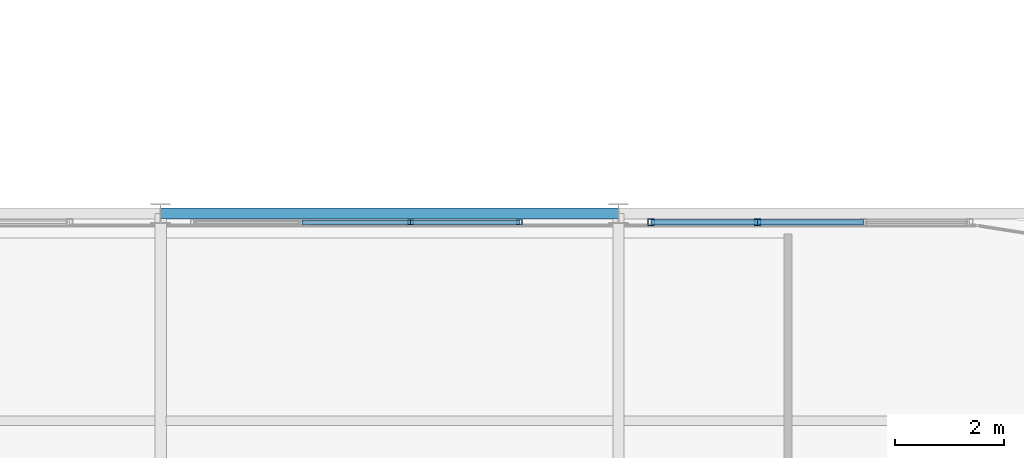
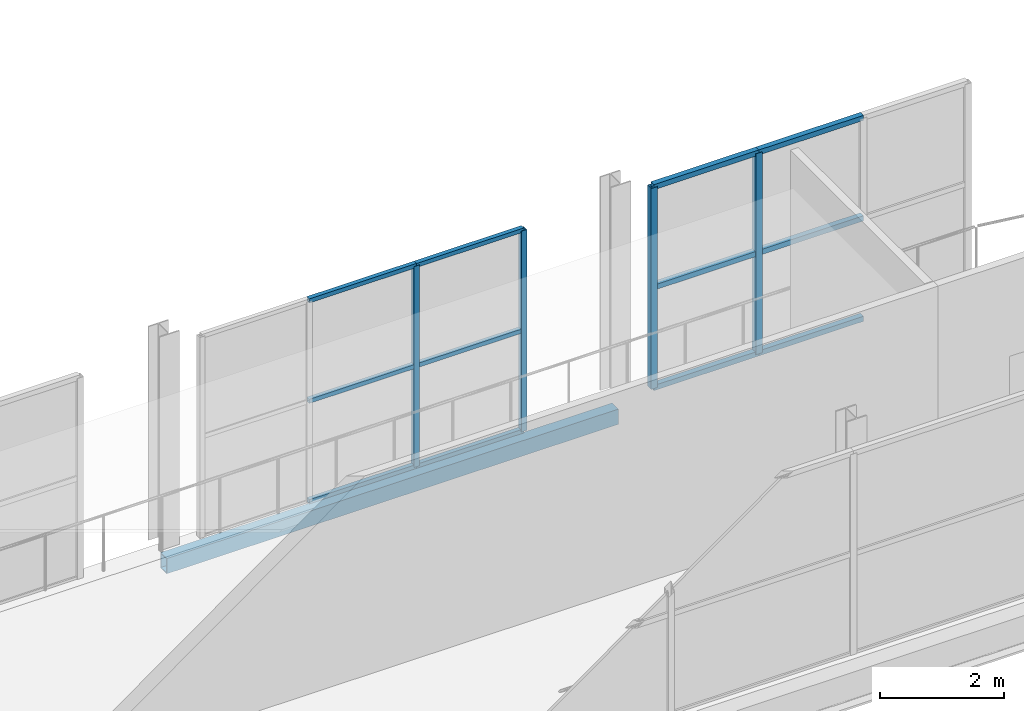
# One storey, part 159 of 217: 16 members, 1 beam, 2 elements without a shape of their own.
"""IFC4 building model written with IfcOpenShell, lengths in metres."""

from ifc_helpers import new_model, si_unit, direction, frame, origin, origin_2d, place, context, subcontext, project, spatial, hollow_rectangle, extrude, material, material_profile, profile_set, type_object, element, aggregate, save


model = new_model("IFC4")

# Units and contexts
model_context = context("Model", 3, precision=1e-05, world=origin(), true_north=direction((0.0, 1.0)))
body_context = subcontext(model_context, "Body", "Model", "MODEL_VIEW")
ifc_project = project(units=[si_unit("LENGTHUNIT", "METRE"), si_unit("AREAUNIT", "SQUARE_METRE"), si_unit("VOLUMEUNIT", "CUBIC_METRE"), si_unit("PLANEANGLEUNIT", "RADIAN"), si_unit("MASSUNIT", "GRAM", prefix="KILO")], contexts=[model_context])

# Site, building, storey
site_placement = place(None, origin())
site = spatial("IfcSite", under=ifc_project, at=site_placement, CompositionType="ELEMENT")
building_placement = place(site_placement, origin())
building = spatial("IfcBuilding", under=site, at=building_placement, Name="Zuvorla Pavilion Media Centre", CompositionType="ELEMENT")
storey_placement = place(building_placement, frame((0.0, 0.0, 9.60009765625)))
storey = spatial("IfcBuildingStorey", under=building, at=storey_placement, Name="L02", CompositionType="ELEMENT", Elevation=9.60009765625)

# Beam
ifc_material_1 = material(Name="Steel S355", Category="steel")
ifc_material_profile_1 = material_profile(ifc_material_1, hollow_rectangle(XDim=0.199951171875, YDim=0.300048828125, WallThickness=0.012451171875, at=origin_2d()), Name="RHS 300x200x12.5")
ifc_profile_set_1 = profile_set([ifc_material_profile_1], Name="Steel S355")
beam_type = type_object("IfcBeamType", Name="BM-SP-RHS300", PredefinedType="SPANDREL", material=ifc_profile_set_1)
beam_placement = place(storey_placement, frame((142.39990234375, 89.60009765625, -0.418212890625), z_axis=(1.0, 0.0, 0.0), x_axis=(0.0, 1.0, 0.0)))
element("IfcBeam", 1, at=beam_placement, inside=storey, type_object=beam_type, Name="L02 spandrel SP01 889", PredefinedType="SPANDREL", context=body_context, shape_type="SweptSolid", body=[
    extrude(hollow_rectangle(XDim=0.199951171875, YDim=0.300048828125, WallThickness=0.012451171875, at=origin_2d()), origin(), (0.0, 0.0, 1.0), 8.400146484375),
])

# Curtain wall, members
ifc_material_2 = material(Name="Unitised anodised aluminium and solar glass curtain wall", Category="aluminium")
curtain_wall_type_1 = type_object("IfcCurtainWallType", Name="CW-SYS-08", PredefinedType="USERDEFINED", material=ifc_material_2)
curtain_wall_1_placement = place(storey_placement, origin())
curtain_wall_1 = element("IfcCurtainWall", 2, at=curtain_wall_1_placement, inside=storey, type_object=curtain_wall_type_1, Name="L02 curtain wall CW08 13", ObjectType="CURTAIN WALL", PredefinedType="USERDEFINED")
ifc_material_3 = material(Name="Anodised aluminium 6063-T6", Category="aluminium")
ifc_material_profile_2 = material_profile(ifc_material_3, hollow_rectangle(XDim=0.10009765625, YDim=0.10009765625, WallThickness=0.00439453125, at=origin_2d()), Name="ALU MULL 100x100")
ifc_profile_set_2 = profile_set([ifc_material_profile_2], Name="Anodised aluminium 6063-T6")
member_type_1 = type_object("IfcMemberType", Name="CW-MULL-100", PredefinedType="MULLION", material=ifc_profile_set_2)
member_1_placement = place(storey_placement, frame((148.98291015625, 89.43994140625, 0.0), z_axis=(0.0, 0.0, 1.0), x_axis=(1.0, 0.0, 0.0)))
member_1 = element("IfcMember", 3, at=member_1_placement, type_object=member_type_1, Name="CW08 mullion 1", PredefinedType="MULLION", context=body_context, shape_type="SweptSolid", body=[
    extrude(hollow_rectangle(XDim=0.10009765625, YDim=0.10009765625, WallThickness=0.00439453125, at=origin_2d()), origin(), (0.0, 0.0, 1.0), 3.949951171875),
])
member_2_placement = place(storey_placement, frame((146.98876953125, 89.43994140625, 0.0), z_axis=(0.0, 0.0, 1.0), x_axis=(1.0, 0.0, 0.0)))
member_2 = element("IfcMember", 4, at=member_2_placement, type_object=member_type_1, Name="CW08 mullion 2", PredefinedType="MULLION", context=body_context, shape_type="SweptSolid", body=[
    extrude(hollow_rectangle(XDim=0.10009765625, YDim=0.10009765625, WallThickness=0.00439453125, at=origin_2d()), origin(), (0.0, 0.0, 1.0), 3.949951171875),
])

curtain_wall_type_2 = type_object("IfcCurtainWallType", Name="CW-SYS-07", PredefinedType="USERDEFINED", material=ifc_material_2)
curtain_wall_2_placement = place(storey_placement, origin())
curtain_wall_2 = element("IfcCurtainWall", 5, at=curtain_wall_2_placement, inside=storey, type_object=curtain_wall_type_2, Name="L02 curtain wall CW07 12", ObjectType="CURTAIN WALL", PredefinedType="USERDEFINED")
ifc_material_profile_3 = material_profile(ifc_material_3, hollow_rectangle(XDim=0.1201171875, YDim=0.1201171875, WallThickness=0.0048828125, at=origin_2d()), Name="ALU MULL 120x120")
ifc_profile_set_3 = profile_set([ifc_material_profile_3], Name="Anodised aluminium 6063-T6")
member_type_2 = type_object("IfcMemberType", Name="CW-MULL-120", PredefinedType="MULLION", material=ifc_profile_set_3)
member_3_placement = place(storey_placement, frame((153.3466796875, 89.43994140625, 0.0), z_axis=(0.0, 0.0, 1.0), x_axis=(1.0, 0.0, 0.0)))
member_3 = element("IfcMember", 6, at=member_3_placement, type_object=member_type_2, Name="CW07 mullion 3", PredefinedType="MULLION", context=body_context, shape_type="SweptSolid", body=[
    extrude(hollow_rectangle(XDim=0.1201171875, YDim=0.1201171875, WallThickness=0.0048828125, at=origin_2d()), origin(), (0.0, 0.0, 1.0), 3.949951171875),
])
member_4_placement = place(storey_placement, frame((151.400146484375, 89.43994140625, 0.0), z_axis=(0.0, 0.0, 1.0), x_axis=(1.0, 0.0, 0.0)))
member_4 = element("IfcMember", 7, at=member_4_placement, type_object=member_type_2, Name="CW07 mullion 4", PredefinedType="MULLION", context=body_context, shape_type="SweptSolid", body=[
    extrude(hollow_rectangle(XDim=0.1201171875, YDim=0.1201171875, WallThickness=0.0048828125, at=origin_2d()), origin(), (0.0, 0.0, 1.0), 3.949951171875),
])
ifc_material_profile_4 = material_profile(ifc_material_3, hollow_rectangle(XDim=0.10009765625, YDim=0.10009765625, WallThickness=0.00439453125, at=origin_2d()), Name="ALU TRAN 100x100")
ifc_profile_set_4 = profile_set([ifc_material_profile_4], Name="Anodised aluminium 6063-T6")
member_type_3 = type_object("IfcMemberType", Name="CW-TRAN-100", PredefinedType="USERDEFINED", material=ifc_profile_set_4)
member_5_placement = place(storey_placement, frame((155.29345703125, 89.43994140625, 0.0), z_axis=(-1.0, 0.0, 0.0), x_axis=(0.0, -1.0, 0.0)))
member_5 = element("IfcMember", 8, at=member_5_placement, type_object=member_type_3, Name="CW07 transom 2.1", ObjectType="TRANSOM", PredefinedType="USERDEFINED", context=body_context, shape_type="SweptSolid", body=[
    extrude(hollow_rectangle(XDim=0.10009765625, YDim=0.10009765625, WallThickness=0.00439453125, at=origin_2d()), origin(), (0.0, 0.0, 1.0), 1.94677734375),
])
member_6_placement = place(storey_placement, frame((155.29345703125, 89.43994140625, 1.974853515625), z_axis=(-1.0, 0.0, 0.0), x_axis=(0.0, -1.0, 0.0)))
member_6 = element("IfcMember", 9, at=member_6_placement, type_object=member_type_3, Name="CW07 transom 2.2", ObjectType="TRANSOM", PredefinedType="USERDEFINED", context=body_context, shape_type="SweptSolid", body=[
    extrude(hollow_rectangle(XDim=0.10009765625, YDim=0.10009765625, WallThickness=0.00439453125, at=origin_2d()), origin(), (0.0, 0.0, 1.0), 1.94677734375),
])
member_7_placement = place(storey_placement, frame((155.29345703125, 89.43994140625, 3.949951171875), z_axis=(-1.0, 0.0, 0.0), x_axis=(0.0, -1.0, 0.0)))
member_7 = element("IfcMember", 10, at=member_7_placement, type_object=member_type_3, Name="CW07 transom 2.3", ObjectType="TRANSOM", PredefinedType="USERDEFINED", context=body_context, shape_type="SweptSolid", body=[
    extrude(hollow_rectangle(XDim=0.10009765625, YDim=0.10009765625, WallThickness=0.00439453125, at=origin_2d()), origin(), (0.0, 0.0, 1.0), 1.94677734375),
])
member_8_placement = place(storey_placement, frame((153.3466796875, 89.43994140625, 0.0), z_axis=(-1.0, 0.0, 0.0), x_axis=(0.0, -1.0, 0.0)))
member_8 = element("IfcMember", 11, at=member_8_placement, type_object=member_type_3, Name="CW07 transom 3.1", ObjectType="TRANSOM", PredefinedType="USERDEFINED", context=body_context, shape_type="SweptSolid", body=[
    extrude(hollow_rectangle(XDim=0.10009765625, YDim=0.10009765625, WallThickness=0.00439453125, at=origin_2d()), origin(), (0.0, 0.0, 1.0), 1.946533203125),
])
member_9_placement = place(storey_placement, frame((153.3466796875, 89.43994140625, 1.974853515625), z_axis=(-1.0, 0.0, 0.0), x_axis=(0.0, -1.0, 0.0)))
member_9 = element("IfcMember", 12, at=member_9_placement, type_object=member_type_3, Name="CW07 transom 3.2", ObjectType="TRANSOM", PredefinedType="USERDEFINED", context=body_context, shape_type="SweptSolid", body=[
    extrude(hollow_rectangle(XDim=0.10009765625, YDim=0.10009765625, WallThickness=0.00439453125, at=origin_2d()), origin(), (0.0, 0.0, 1.0), 1.946533203125),
])
member_10_placement = place(storey_placement, frame((153.3466796875, 89.43994140625, 3.949951171875), z_axis=(-1.0, 0.0, 0.0), x_axis=(0.0, -1.0, 0.0)))
member_10 = element("IfcMember", 13, at=member_10_placement, type_object=member_type_3, Name="CW07 transom 3.3", ObjectType="TRANSOM", PredefinedType="USERDEFINED", context=body_context, shape_type="SweptSolid", body=[
    extrude(hollow_rectangle(XDim=0.10009765625, YDim=0.10009765625, WallThickness=0.00439453125, at=origin_2d()), origin(), (0.0, 0.0, 1.0), 1.946533203125),
])
aggregate(curtain_wall_2, [member_3, member_4, member_5, member_6, member_7, member_8, member_9, member_10])

# Member
ifc_material_profile_5 = material_profile(ifc_material_3, hollow_rectangle(XDim=0.080078125, YDim=0.080078125, WallThickness=0.00390625, at=origin_2d()), Name="ALU TRAN 80x80")
ifc_profile_set_5 = profile_set([ifc_material_profile_5], Name="Anodised aluminium 6063-T6")
member_type_4 = type_object("IfcMemberType", Name="CW-TRAN-80", PredefinedType="USERDEFINED", material=ifc_profile_set_5)
member_11_placement = place(storey_placement, frame((148.98291015625, 89.43994140625, 0.0), z_axis=(-1.0, 0.0, 0.0), x_axis=(0.0, -1.0, 0.0)))
member_11 = element("IfcMember", 14, at=member_11_placement, type_object=member_type_4, Name="CW08 transom 1.1", ObjectType="TRANSOM", PredefinedType="USERDEFINED", context=body_context, shape_type="SweptSolid", body=[
    extrude(hollow_rectangle(XDim=0.080078125, YDim=0.080078125, WallThickness=0.00390625, at=origin_2d()), origin(), (0.0, 0.0, 1.0), 1.994140625),
])

member_12_placement = place(storey_placement, frame((148.98291015625, 89.43994140625, 1.974853515625), z_axis=(-1.0, 0.0, 0.0), x_axis=(0.0, -1.0, 0.0)))
member_12 = element("IfcMember", 15, at=member_12_placement, type_object=member_type_4, Name="CW08 transom 1.2", ObjectType="TRANSOM", PredefinedType="USERDEFINED", context=body_context, shape_type="SweptSolid", body=[
    extrude(hollow_rectangle(XDim=0.080078125, YDim=0.080078125, WallThickness=0.00390625, at=origin_2d()), origin(), (0.0, 0.0, 1.0), 1.994140625),
])

member_13_placement = place(storey_placement, frame((148.98291015625, 89.43994140625, 3.949951171875), z_axis=(-1.0, 0.0, 0.0), x_axis=(0.0, -1.0, 0.0)))
member_13 = element("IfcMember", 16, at=member_13_placement, type_object=member_type_4, Name="CW08 transom 1.3", ObjectType="TRANSOM", PredefinedType="USERDEFINED", context=body_context, shape_type="SweptSolid", body=[
    extrude(hollow_rectangle(XDim=0.080078125, YDim=0.080078125, WallThickness=0.00390625, at=origin_2d()), origin(), (0.0, 0.0, 1.0), 1.994140625),
])

member_14_placement = place(storey_placement, frame((146.98876953125, 89.43994140625, 0.0), z_axis=(-1.0, 0.0, 0.0), x_axis=(0.0, -1.0, 0.0)))
member_14 = element("IfcMember", 17, at=member_14_placement, type_object=member_type_4, Name="CW08 transom 2.1", ObjectType="TRANSOM", PredefinedType="USERDEFINED", context=body_context, shape_type="SweptSolid", body=[
    extrude(hollow_rectangle(XDim=0.080078125, YDim=0.080078125, WallThickness=0.00390625, at=origin_2d()), origin(), (0.0, 0.0, 1.0), 1.994384765625),
])

member_15_placement = place(storey_placement, frame((146.98876953125, 89.43994140625, 1.974853515625), z_axis=(-1.0, 0.0, 0.0), x_axis=(0.0, -1.0, 0.0)))
member_15 = element("IfcMember", 18, at=member_15_placement, type_object=member_type_4, Name="CW08 transom 2.2", ObjectType="TRANSOM", PredefinedType="USERDEFINED", context=body_context, shape_type="SweptSolid", body=[
    extrude(hollow_rectangle(XDim=0.080078125, YDim=0.080078125, WallThickness=0.00390625, at=origin_2d()), origin(), (0.0, 0.0, 1.0), 1.994384765625),
])

member_16_placement = place(storey_placement, frame((146.98876953125, 89.43994140625, 3.949951171875), z_axis=(-1.0, 0.0, 0.0), x_axis=(0.0, -1.0, 0.0)))
member_16 = element("IfcMember", 19, at=member_16_placement, type_object=member_type_4, Name="CW08 transom 2.3", ObjectType="TRANSOM", PredefinedType="USERDEFINED", context=body_context, shape_type="SweptSolid", body=[
    extrude(hollow_rectangle(XDim=0.080078125, YDim=0.080078125, WallThickness=0.00390625, at=origin_2d()), origin(), (0.0, 0.0, 1.0), 1.994384765625),
])

aggregate(curtain_wall_1, [member_1, member_2, member_11, member_12, member_13, member_14, member_15, member_16])

save(model, "model.ifc")
